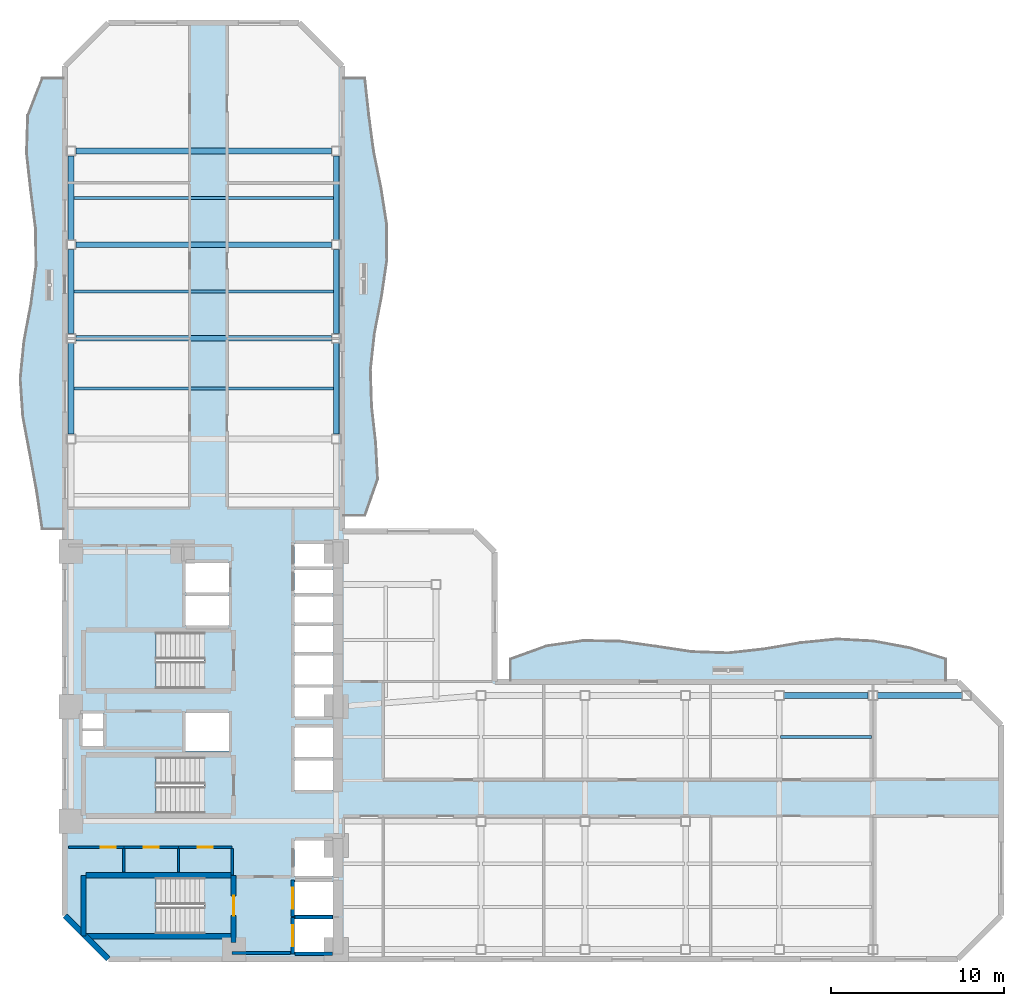
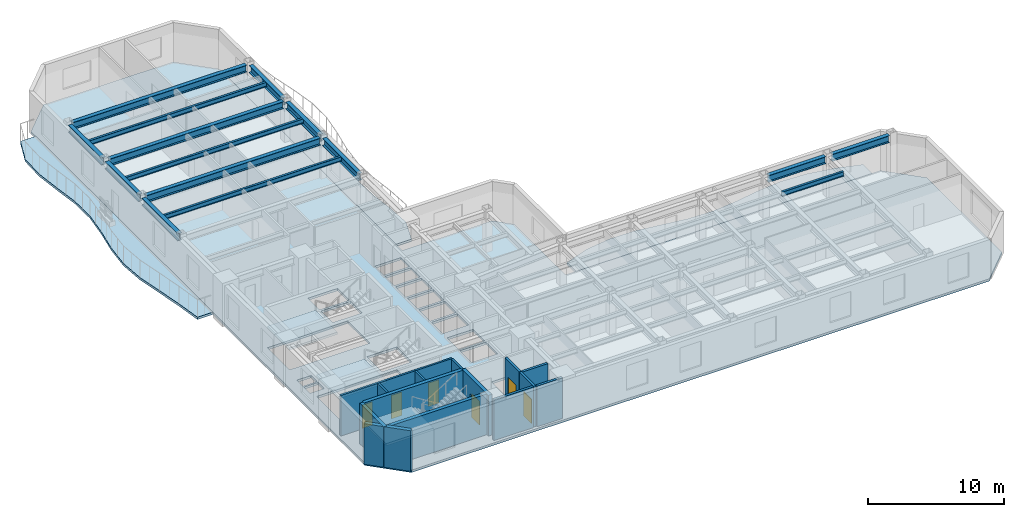
# One storey, part 2 of 10: 16 walls, 15 beams, 7 slabs, 6 doors, 6 openings, 3 elements without a shape of their own.
"""IFC4 building model written with IfcOpenShell, lengths in metres."""

from ifc_helpers import new_model, si_unit, direction, frame, frame_2d, origin, origin_2d, place, context, subcontext, project, spatial, polyline, rectangle, i_section, outline, extrude, material, layer, layer_set, material_profile, profile_set, type_object, element, fill, aggregate, save


model = new_model("IFC4")

# Units and contexts
model_context = context("Model", 3, precision=1e-05, world=origin(), true_north=direction((0.0, 1.0)))
body_context = subcontext(model_context, "Body", "Model", "MODEL_VIEW")
ifc_project = project(units=[si_unit("LENGTHUNIT", "METRE"), si_unit("AREAUNIT", "SQUARE_METRE"), si_unit("VOLUMEUNIT", "CUBIC_METRE"), si_unit("PLANEANGLEUNIT", "RADIAN"), si_unit("MASSUNIT", "GRAM", prefix="KILO")], contexts=[model_context])

# Site, building, storey
site_placement = place(None, origin())
site = spatial("IfcSite", under=ifc_project, at=site_placement, CompositionType="ELEMENT")
building_placement = place(site_placement, origin())
building = spatial("IfcBuilding", under=site, at=building_placement, Name="Mawjaban Terraces University", CompositionType="ELEMENT")
storey_placement = place(building_placement, frame((0.0, 0.0, 89.5)))
storey = spatial("IfcBuildingStorey", under=building, at=storey_placement, Name="L21", CompositionType="ELEMENT", Elevation=89.5)

# Beams
ifc_material_1 = material(Name="Steel ASTM A572 Grade 50", Category="steel")
ifc_material_profile_1 = material_profile(ifc_material_1, i_section(OverallWidth=0.3291015625, OverallDepth=0.635009765625, WebThickness=0.017822265625, FlangeThickness=0.031005859375, at=origin_2d()), Name="W610X241")
ifc_profile_set_1 = profile_set([ifc_material_profile_1], Name="Steel ASTM A572 Grade 50")
beam_type_1 = type_object("IfcBeamType", Name="Beam_B_W610X241", PredefinedType="BEAM", material=ifc_profile_set_1)
beam_1_placement = place(storey_placement, frame((63.47509765625, 15.199951171875, 3.322998046875), z_axis=(1.0, 0.0, 0.0), x_axis=(0.0, 1.0, 0.0)))
element("IfcBeam", 1, at=beam_1_placement, inside=storey, type_object=beam_type_1, Name="L21 Beam BM-L21-EW-12", PredefinedType="BEAM", context=body_context, shape_type="SweptSolid", body=[
    extrude(i_section(OverallWidth=0.3291015625, OverallDepth=0.635009765625, WebThickness=0.017822265625, FlangeThickness=0.031005859375, at=origin_2d()), origin(), (0.0, 0.0, 1.0), 4.849853515625),
])
beam_2_placement = place(storey_placement, frame((68.875, 15.199951171875, 3.322998046875), z_axis=(1.0, 0.0, 0.0), x_axis=(0.0, 1.0, 0.0)))
element("IfcBeam", 2, at=beam_2_placement, inside=storey, type_object=beam_type_1, Name="L21 Beam BM-L21-EW-13", PredefinedType="BEAM", context=body_context, shape_type="SweptSolid", body=[
    extrude(i_section(OverallWidth=0.3291015625, OverallDepth=0.635009765625, WebThickness=0.017822265625, FlangeThickness=0.031005859375, at=origin_2d()), origin(), (0.0, 0.0, 1.0), 4.85009765625),
])
for number, where, z_axis, x_axis, name in (
    (3, (22.625, 35.800048828125, 3.322998046875), (1.0, 0.0, 0.0), (0.0, 1.0, 0.0), "L21 Beam BM-L21-EW-16"),
    (4, (22.625, 41.199951171875, 3.322998046875), (1.0, 0.0, 0.0), (0.0, 1.0, 0.0), "L21 Beam BM-L21-EW-17"),
    (5, (22.625, 46.60009765625, 3.322998046875), (1.0, 0.0, 0.0), (0.0, 1.0, 0.0), "L21 Beam BM-L21-EW-18"),
):
    element("IfcBeam", number, at=place(storey_placement, frame(where, z_axis=z_axis, x_axis=x_axis)), inside=storey, type_object=beam_type_1, Name=name, PredefinedType="BEAM", context=body_context, shape_type="SweptSolid", body=[
        extrude(i_section(OverallWidth=0.3291015625, OverallDepth=0.635009765625, WebThickness=0.017822265625, FlangeThickness=0.031005859375, at=origin_2d()), origin(), (0.0, 0.0, 1.0), 14.75),
    ])
beam_3_placement = place(storey_placement, frame((22.35009765625, 30.27490234375, 3.322998046875), z_axis=(0.0, 1.0, 0.0), x_axis=(-1.0, 0.0, 0.0)))
element("IfcBeam", 6, at=beam_3_placement, inside=storey, type_object=beam_type_1, Name="L21 Beam BM-L21-NS-04", PredefinedType="BEAM", context=body_context, shape_type="SweptSolid", body=[
    extrude(i_section(OverallWidth=0.3291015625, OverallDepth=0.635009765625, WebThickness=0.017822265625, FlangeThickness=0.031005859375, at=origin_2d()), origin(), (0.0, 0.0, 1.0), 5.25),
])
beam_4_placement = place(storey_placement, frame((22.35009765625, 36.074951171875, 3.322998046875), z_axis=(0.0, 1.0, 0.0), x_axis=(-1.0, 0.0, 0.0)))
element("IfcBeam", 7, at=beam_4_placement, inside=storey, type_object=beam_type_1, Name="L21 Beam BM-L21-NS-05", PredefinedType="BEAM", context=body_context, shape_type="SweptSolid", body=[
    extrude(i_section(OverallWidth=0.3291015625, OverallDepth=0.635009765625, WebThickness=0.017822265625, FlangeThickness=0.031005859375, at=origin_2d()), origin(), (0.0, 0.0, 1.0), 4.85009765625),
])
beam_5_placement = place(storey_placement, frame((22.35009765625, 41.47509765625, 3.322998046875), z_axis=(0.0, 1.0, 0.0), x_axis=(-1.0, 0.0, 0.0)))
element("IfcBeam", 8, at=beam_5_placement, inside=storey, type_object=beam_type_1, Name="L21 Beam BM-L21-NS-06", PredefinedType="BEAM", context=body_context, shape_type="SweptSolid", body=[
    extrude(i_section(OverallWidth=0.3291015625, OverallDepth=0.635009765625, WebThickness=0.017822265625, FlangeThickness=0.031005859375, at=origin_2d()), origin(), (0.0, 0.0, 1.0), 4.849853515625),
])
beam_6_placement = place(storey_placement, frame((37.64990234375, 30.27490234375, 3.322998046875), z_axis=(0.0, 1.0, 0.0), x_axis=(-1.0, 0.0, 0.0)))
element("IfcBeam", 9, at=beam_6_placement, inside=storey, type_object=beam_type_1, Name="L21 Beam BM-L21-NS-11", PredefinedType="BEAM", context=body_context, shape_type="SweptSolid", body=[
    extrude(i_section(OverallWidth=0.3291015625, OverallDepth=0.635009765625, WebThickness=0.017822265625, FlangeThickness=0.031005859375, at=origin_2d()), origin(), (0.0, 0.0, 1.0), 5.25),
])
beam_7_placement = place(storey_placement, frame((37.64990234375, 36.074951171875, 3.322998046875), z_axis=(0.0, 1.0, 0.0), x_axis=(-1.0, 0.0, 0.0)))
element("IfcBeam", 10, at=beam_7_placement, inside=storey, type_object=beam_type_1, Name="L21 Beam BM-L21-NS-12", PredefinedType="BEAM", context=body_context, shape_type="SweptSolid", body=[
    extrude(i_section(OverallWidth=0.3291015625, OverallDepth=0.635009765625, WebThickness=0.017822265625, FlangeThickness=0.031005859375, at=origin_2d()), origin(), (0.0, 0.0, 1.0), 4.85009765625),
])
beam_8_placement = place(storey_placement, frame((37.64990234375, 41.47509765625, 3.322998046875), z_axis=(0.0, 1.0, 0.0), x_axis=(-1.0, 0.0, 0.0)))
element("IfcBeam", 11, at=beam_8_placement, inside=storey, type_object=beam_type_1, Name="L21 Beam BM-L21-NS-13", PredefinedType="BEAM", context=body_context, shape_type="SweptSolid", body=[
    extrude(i_section(OverallWidth=0.3291015625, OverallDepth=0.635009765625, WebThickness=0.017822265625, FlangeThickness=0.031005859375, at=origin_2d()), origin(), (0.0, 0.0, 1.0), 4.849853515625),
])
ifc_material_profile_2 = material_profile(ifc_material_1, i_section(OverallWidth=0.179931640625, OverallDepth=0.4130859375, WebThickness=0.009765625, FlangeThickness=0.01611328125, at=origin_2d()), Name="W410X74")
ifc_profile_set_2 = profile_set([ifc_material_profile_2], Name="Steel ASTM A572 Grade 50")
beam_type_2 = type_object("IfcBeamType", Name="Beam_J_W410X74", PredefinedType="JOIST", material=ifc_profile_set_2)
beam_9_placement = place(storey_placement, frame((63.280029296875, 12.800048828125, 3.43310546875), z_axis=(1.0, 0.0, 0.0), x_axis=(0.0, 1.0, 0.0)))
element("IfcBeam", 12, at=beam_9_placement, inside=storey, type_object=beam_type_2, Name="L21 Composite Joist JST-L21-20", PredefinedType="JOIST", context=body_context, shape_type="SweptSolid", body=[
    extrude(i_section(OverallWidth=0.179931640625, OverallDepth=0.4130859375, WebThickness=0.009765625, FlangeThickness=0.01611328125, at=origin_2d()), origin(), (0.0, 0.0, 1.0), 5.239990234375),
])
for number, where, z_axis, x_axis, name in (
    (13, (22.429931640625, 32.89990234375, 3.43310546875), (1.0, 0.0, 0.0), (0.0, 1.0, 0.0), "L21 Composite Joist JST-L21-23"),
    (14, (22.429931640625, 38.5, 3.43310546875), (1.0, 0.0, 0.0), (0.0, 1.0, 0.0), "L21 Composite Joist JST-L21-24"),
    (15, (22.429931640625, 43.89990234375, 3.43310546875), (1.0, 0.0, 0.0), (0.0, 1.0, 0.0), "L21 Composite Joist JST-L21-25"),
):
    element("IfcBeam", number, at=place(storey_placement, frame(where, z_axis=z_axis, x_axis=x_axis)), inside=storey, type_object=beam_type_2, Name=name, PredefinedType="JOIST", context=body_context, shape_type="SweptSolid", body=[
        extrude(i_section(OverallWidth=0.179931640625, OverallDepth=0.4130859375, WebThickness=0.009765625, FlangeThickness=0.01611328125, at=origin_2d()), origin(), (0.0, 0.0, 1.0), 15.14013671875),
    ])

# Slabs
ifc_material_2 = material(Name="Concrete C40/50", Category="concrete")
ifc_layer_1 = layer(ifc_material_2, 0.2099609375)
ifc_layer_set_1 = layer_set([ifc_layer_1], Name="Concrete C40/50")
slab_type_1 = type_object("IfcSlabType", Name="BalconySlab_210_Ext", PredefinedType="FLOOR", material=ifc_layer_set_1)
slab_1_placement = place(storey_placement, frame((0.0, 0.0, -0.2099609375)))
element("IfcSlab", 16, at=slab_1_placement, inside=storey, type_object=slab_type_1, Name="L21 Planted Balcony Slab west", PredefinedType="FLOOR", context=body_context, shape_type="SweptSolid", body=[
    extrude(outline(polyline([(22.010009765625, 24.800048828125), (22.010009765625, 50.800048828125), (20.699951171875, 50.800048828125), (19.860107421875, 48.633056640625), (19.7958984375, 46.467041015625), (20.0400390625, 44.300048828125), (20.31494140625, 42.133056640625), (20.340087890625, 39.967041015625), (20.050048828125, 37.800048828125), (19.64501953125, 35.633056640625), (19.43310546875, 33.467041015625), (19.580078125, 31.300048828125), (19.986083984375, 29.133056640625), (20.382080078125, 26.967041015625), (20.699951171875, 24.800048828125), (22.010009765625, 24.800048828125)])), origin(), (0.0, 0.0, 1.0), 0.2099609375),
])
slab_2_placement = place(storey_placement, frame((0.0, 0.0, -0.2099609375)))
element("IfcSlab", 17, at=slab_2_placement, inside=storey, type_object=slab_type_1, Name="L21 Planted Balcony Slab inner_north", PredefinedType="FLOOR", context=body_context, shape_type="SweptSolid", body=[
    extrude(outline(polyline([(47.699951171875, 15.989990234375), (72.800048828125, 15.989990234375), (72.800048828125, 17.300048828125), (70.7080078125, 17.945068359375), (68.616943359375, 18.333984375), (66.52490234375, 18.448974609375), (64.43310546875, 18.239013671875), (62.342041015625, 17.87890625), (60.25, 17.64892578125), (58.157958984375, 17.721923828125), (56.06689453125, 18.032958984375), (53.97509765625, 18.327880859375), (51.883056640625, 18.35791015625), (49.7919921875, 18.056884765625), (47.699951171875, 17.300048828125), (47.699951171875, 15.989990234375)])), origin(), (0.0, 0.0, 1.0), 0.2099609375),
])
slab_3_placement = place(storey_placement, frame((0.0, 0.0, -0.2099609375)))
element("IfcSlab", 18, at=slab_3_placement, inside=storey, type_object=slab_type_1, Name="L21 Planted Balcony Slab inner_east", PredefinedType="FLOOR", context=body_context, shape_type="SweptSolid", body=[
    extrude(outline(polyline([(39.300048828125, 25.5849609375), (40.0400390625, 27.68603515625), (39.929931640625, 29.7880859375), (39.695068359375, 31.888916015625), (39.626953125, 33.989990234375), (39.85693359375, 36.091064453125), (40.262939453125, 38.19189453125), (40.571044921875, 40.2939453125), (40.56005859375, 42.39501953125), (40.23291015625, 44.49609375), (39.80810546875, 46.596923828125), (39.529052734375, 48.698974609375), (39.300048828125, 50.800048828125), (37.989990234375, 50.800048828125), (37.989990234375, 25.5849609375), (39.300048828125, 25.5849609375)])), origin(), (0.0, 0.0, 1.0), 0.2099609375),
])
ifc_layer_2 = layer(ifc_material_2, 0.2099609375)
ifc_layer_set_2 = layer_set([ifc_layer_2], Name="Concrete C40/50")
slab_type_2 = type_object("IfcSlabType", Name="CompositeSlab_210", PredefinedType="FLOOR", material=ifc_layer_set_2)
slab_4_placement = place(storey_placement, frame((0.0, 0.0, -0.2099609375)))
element("IfcSlab", 19, at=slab_4_placement, inside=storey, type_object=slab_type_2, Name="L21 Primary Structural Slab", PredefinedType="FLOOR", context=body_context, shape_type="SweptSolid", body=[
    extrude(outline(polyline([(24.5, 0.0), (73.5, 0.0), (76.0, 2.5), (76.0, 13.5), (73.5, 16.0), (46.800048828125, 16.0), (46.800048828125, 23.485107421875), (45.60009765625, 24.68505859375), (38.0, 24.68505859375), (38.0, 51.5), (35.5, 54.0), (24.5, 54.0), (22.0, 51.5), (22.0, 2.5), (24.5, 0.0)]), holes=[polyline([(30.014892578125, 4.699951171875), (23.199951171875, 4.699951171875), (23.199951171875, 1.449951171875), (30.014892578125, 1.449951171875), (30.014892578125, 4.699951171875)]), polyline([(30.014892578125, 18.85009765625), (23.199951171875, 18.85009765625), (23.199951171875, 15.60009765625), (30.014892578125, 15.60009765625), (30.014892578125, 18.85009765625)]), polyline([(30.014892578125, 11.64990234375), (23.199951171875, 11.64990234375), (23.199951171875, 8.39990234375), (30.014892578125, 8.39990234375), (30.014892578125, 11.64990234375)]), polyline([(35.25, 0.39990234375), (37.449951171875, 0.39990234375), (37.449951171875, 2.300048828125), (35.25, 2.300048828125), (35.25, 0.39990234375)]), polyline([(35.25, 2.550048828125), (37.449951171875, 2.550048828125), (37.449951171875, 4.449951171875), (35.25, 4.449951171875), (35.25, 2.550048828125)]), polyline([(35.25, 4.800048828125), (37.449951171875, 4.800048828125), (37.449951171875, 6.85009765625), (35.25, 6.85009765625), (35.25, 4.800048828125)]), polyline([(35.25, 9.75), (37.449951171875, 9.75), (37.449951171875, 11.449951171875), (35.25, 11.449951171875), (35.25, 9.75)]), polyline([(35.25, 11.64990234375), (37.449951171875, 11.64990234375), (37.449951171875, 13.35009765625), (35.25, 13.35009765625), (35.25, 11.64990234375)]), polyline([(28.949951171875, 12.0), (31.449951171875, 12.0), (31.449951171875, 14.199951171875), (28.949951171875, 14.199951171875), (28.949951171875, 12.0)]), polyline([(35.25, 14.0), (37.449951171875, 14.0), (37.449951171875, 15.64990234375), (35.25, 15.64990234375), (35.25, 14.0)]), polyline([(35.25, 15.85009765625), (37.449951171875, 15.85009765625), (37.449951171875, 17.5), (35.25, 17.5), (35.25, 15.85009765625)]), polyline([(35.25, 17.699951171875), (37.449951171875, 17.699951171875), (37.449951171875, 19.199951171875), (35.25, 19.199951171875), (35.25, 17.699951171875)]), polyline([(35.25, 19.39990234375), (37.449951171875, 19.39990234375), (37.449951171875, 20.89990234375), (35.25, 20.89990234375), (35.25, 19.39990234375)]), polyline([(28.949951171875, 19.25), (31.449951171875, 19.25), (31.449951171875, 20.949951171875), (28.949951171875, 20.949951171875), (28.949951171875, 19.25)]), polyline([(35.25, 21.10009765625), (37.449951171875, 21.10009765625), (37.449951171875, 22.449951171875), (35.25, 22.449951171875), (35.25, 21.10009765625)]), polyline([(35.25, 22.64990234375), (37.449951171875, 22.64990234375), (37.449951171875, 23.949951171875), (35.25, 23.949951171875), (35.25, 22.64990234375)]), polyline([(28.949951171875, 21.14990234375), (31.449951171875, 21.14990234375), (31.449951171875, 22.85009765625), (28.949951171875, 22.85009765625), (28.949951171875, 21.14990234375)]), polyline([(23.0, 12.25), (24.199951171875, 12.25), (24.199951171875, 13.14990234375), (23.0, 13.14990234375), (23.0, 12.25)]), polyline([(23.0, 13.300048828125), (24.199951171875, 13.300048828125), (24.199951171875, 14.179931640625), (23.0, 14.179931640625), (23.0, 13.300048828125)])]), origin(), (0.0, 0.0, 1.0), 0.2099609375),
])

# Stair, slab
stair_type = type_object("IfcStairType", Name="Stair_Core1550_H39", PredefinedType="HALF_TURN_STAIR", material=ifc_material_2)
stair_1_placement = place(storey_placement, origin())
stair_1 = element("IfcStair", 20, at=stair_1_placement, inside=storey, type_object=stair_type, Name="L21 Core Exit Stair 1", PredefinedType="HALF_TURN_STAIR")
ifc_layer_3 = layer(ifc_material_2, 0.199951171875)
ifc_layer_set_3 = layer_set([ifc_layer_3], Name="Concrete C40/50")
slab_type_3 = type_object("IfcSlabType", Name="StairLandingSlab_200", PredefinedType="LANDING", material=ifc_layer_set_3)
slab_5_placement = place(storey_placement, frame((0.0, 0.0, 1.75)))
slab_5 = element("IfcSlab", 21, at=slab_5_placement, type_object=slab_type_3, Name="ST-1 landing 1", PredefinedType="LANDING", context=body_context, shape_type="SweptSolid", body=[
    extrude(outline(polyline([(27.25, 4.699951171875), (23.199951171875, 4.699951171875), (23.199951171875, 1.449951171875), (27.25, 1.449951171875), (27.25, 4.699951171875)])), origin(), (0.0, 0.0, 1.0), 0.199951171875),
])
aggregate(stair_1, [slab_5])

stair_2_placement = place(storey_placement, origin())
stair_2 = element("IfcStair", 22, at=stair_2_placement, inside=storey, type_object=stair_type, Name="L21 Core Exit Stair 2", PredefinedType="HALF_TURN_STAIR")
slab_6_placement = place(storey_placement, frame((0.0, 0.0, 1.75)))
slab_6 = element("IfcSlab", 23, at=slab_6_placement, type_object=slab_type_3, Name="ST-2 landing 1", PredefinedType="LANDING", context=body_context, shape_type="SweptSolid", body=[
    extrude(outline(polyline([(27.25, 18.85009765625), (23.199951171875, 18.85009765625), (23.199951171875, 15.60009765625), (27.25, 15.60009765625), (27.25, 18.85009765625)])), origin(), (0.0, 0.0, 1.0), 0.199951171875),
])
aggregate(stair_2, [slab_6])

stair_3_placement = place(storey_placement, origin())
stair_3 = element("IfcStair", 24, at=stair_3_placement, inside=storey, type_object=stair_type, Name="L21 Core Exit Stair 3", PredefinedType="HALF_TURN_STAIR")
slab_7_placement = place(storey_placement, frame((0.0, 0.0, 1.75)))
slab_7 = element("IfcSlab", 25, at=slab_7_placement, type_object=slab_type_3, Name="ST-3 landing 1", PredefinedType="LANDING", context=body_context, shape_type="SweptSolid", body=[
    extrude(outline(polyline([(27.25, 11.64990234375), (23.199951171875, 11.64990234375), (23.199951171875, 8.39990234375), (27.25, 8.39990234375), (27.25, 11.64990234375)])), origin(), (0.0, 0.0, 1.0), 0.199951171875),
])
aggregate(stair_3, [slab_7])

# Wall, opening, door
ifc_material_3 = material(Name="Fire-rated gypsum board on steel stud", Category="steel")
ifc_layer_4 = layer(ifc_material_3, 0.159912109375)
ifc_layer_set_4 = layer_set([ifc_layer_4], Name="Fire-rated gypsum board on steel stud")
wall_type_1 = type_object("IfcWallType", Name="CorridorPartition_160", PredefinedType="PARTITIONING", material=ifc_layer_set_4)
wall_1_placement = place(storey_placement, frame((22.199951171875, 6.449951171875, 0.0), z_axis=(0.0, 0.0, 1.0), x_axis=(1.0, 0.0, 0.0)))
wall_1 = element("IfcWall", 26, at=wall_1_placement, inside=storey, type_object=wall_type_1, Name="L21 Core Washroom Lobby Partition 1", PredefinedType="PARTITIONING", context=body_context, shape_type="SweptSolid", body=[
    extrude(rectangle(XDim=3.199951171875, YDim=0.159912109375, at=frame_2d((1.60009765625, 0.0))), origin(), (0.0, 0.0, 1.0), 3.639892578125),
])
opening_1_placement = place(wall_1_placement, frame((1.860107421875, 0.0, 0.0)))
opening_1 = element("IfcOpeningElement", 27, at=opening_1_placement, cuts=wall_1, Name="Opening ID-088", PredefinedType="OPENING", context=body_context, shape_type="SweptSolid", body=[
    extrude(rectangle(XDim=0.8798828125, YDim=2.10009765625, at=frame_2d((0.43994140625, 1.050048828125))), frame((0.0, 0.08984375, 0.0), z_axis=(0.0, -1.0, 0.0), x_axis=(1.0, 0.0, 0.0)), (0.0, 0.0, 1.0), 0.179931640625),
])
ifc_material_4 = material(Name="Powder-coated steel frame and solid acoustic timber leaf", Category="steel")
door_type_1 = type_object("IfcDoorType", Name="ToiletDoor_880x2100", OperationType="NOTDEFINED", PredefinedType="DOOR", material=ifc_material_4)
door_1_placement = place(opening_1_placement, origin())
door_1 = element("IfcDoor", 28, at=door_1_placement, inside=storey, type_object=door_type_1, Name="L21 Male Toilet Door", OperationType="SINGLE_SWING_LEFT", OverallHeight=2.10009765625, OverallWidth=0.8798828125, PredefinedType="DOOR", context=body_context, shape_type="SweptSolid", body=[
    extrude(rectangle(XDim=0.8798828125, YDim=2.10009765625, at=frame_2d((0.43994140625, 1.050048828125))), frame((0.0, 0.02490234375, 0.0), z_axis=(0.0, -1.0, 0.0), x_axis=(1.0, 0.0, 0.0)), (0.0, 0.0, 1.0), 0.050048828125),
])
fill(opening_1, door_1)

wall_2_placement = place(storey_placement, frame((25.39990234375, 6.449951171875, 0.0), z_axis=(0.0, 0.0, 1.0), x_axis=(1.0, 0.0, 0.0)))
wall_2 = element("IfcWall", 29, at=wall_2_placement, inside=storey, type_object=wall_type_1, Name="L21 Core Washroom Lobby Partition 4", PredefinedType="PARTITIONING", context=body_context, shape_type="SweptSolid", body=[
    extrude(rectangle(XDim=3.150146484375, YDim=0.159912109375, at=frame_2d((1.5751953125, 0.0))), origin(), (0.0, 0.0, 1.0), 3.639892578125),
])
opening_2_placement = place(wall_2_placement, frame((1.135009765625, 0.0, 0.0)))
opening_2 = element("IfcOpeningElement", 30, at=opening_2_placement, cuts=wall_2, Name="Opening ID-088", PredefinedType="OPENING", context=body_context, shape_type="SweptSolid", body=[
    extrude(rectangle(XDim=0.8798828125, YDim=2.10009765625, at=frame_2d((0.43994140625, 1.050048828125))), frame((0.0, 0.08984375, 0.0), z_axis=(0.0, -1.0, 0.0), x_axis=(1.0, 0.0, 0.0)), (0.0, 0.0, 1.0), 0.179931640625),
])
door_2_placement = place(opening_2_placement, origin())
door_2 = element("IfcDoor", 31, at=door_2_placement, inside=storey, type_object=door_type_1, Name="L21 Female Toilet Door", OperationType="SINGLE_SWING_RIGHT", OverallHeight=2.10009765625, OverallWidth=0.8798828125, PredefinedType="DOOR", context=body_context, shape_type="SweptSolid", body=[
    extrude(rectangle(XDim=0.8798828125, YDim=2.10009765625, at=frame_2d((0.43994140625, 1.050048828125))), frame((0.0, 0.02490234375, 0.0), z_axis=(0.0, -1.0, 0.0), x_axis=(1.0, 0.0, 0.0)), (0.0, 0.0, 1.0), 0.050048828125),
])
fill(opening_2, door_2)

wall_3_placement = place(storey_placement, frame((28.550048828125, 6.449951171875, 0.0), z_axis=(0.0, 0.0, 1.0), x_axis=(1.0, 0.0, 0.0)))
wall_3 = element("IfcWall", 32, at=wall_3_placement, inside=storey, type_object=wall_type_1, Name="L21 Core Washroom Lobby Partition 6", PredefinedType="PARTITIONING", context=body_context, shape_type="SweptSolid", body=[
    extrude(rectangle(XDim=3.099853515625, YDim=0.159912109375, at=frame_2d((1.5498046875, 0.0))), origin(), (0.0, 0.0, 1.0), 3.639892578125),
])
opening_3_placement = place(wall_3_placement, frame((1.110107421875, 0.0, 0.0)))
opening_3 = element("IfcOpeningElement", 33, at=opening_3_placement, cuts=wall_3, Name="Opening ID-088", PredefinedType="OPENING", context=body_context, shape_type="SweptSolid", body=[
    extrude(rectangle(XDim=0.8798828125, YDim=2.10009765625, at=frame_2d((0.43994140625, 1.050048828125))), frame((0.0, 0.08984375, 0.0), z_axis=(0.0, -1.0, 0.0), x_axis=(1.0, 0.0, 0.0)), (0.0, 0.0, 1.0), 0.179931640625),
])
door_3_placement = place(opening_3_placement, origin())
door_3 = element("IfcDoor", 34, at=door_3_placement, inside=storey, type_object=door_type_1, Name="L21 Accessible Toilet Door", OperationType="SINGLE_SWING_LEFT", OverallHeight=2.10009765625, OverallWidth=0.8798828125, PredefinedType="DOOR", context=body_context, shape_type="SweptSolid", body=[
    extrude(rectangle(XDim=0.8798828125, YDim=2.10009765625, at=frame_2d((0.43994140625, 1.050048828125))), frame((0.0, 0.02490234375, 0.0), z_axis=(0.0, -1.0, 0.0), x_axis=(1.0, 0.0, 0.0)), (0.0, 0.0, 1.0), 0.050048828125),
])
fill(opening_3, door_3)

# Walls
wall_4_placement = place(storey_placement, frame((31.64990234375, 4.860107421875, 0.0), z_axis=(0.0, 0.0, 1.0), x_axis=(0.0, 1.0, 0.0)))
element("IfcWall", 35, at=wall_4_placement, inside=storey, type_object=wall_type_1, Name="L21 Accessible Toilet Partition 40", PredefinedType="PARTITIONING", context=body_context, shape_type="SweptSolid", body=[
    extrude(rectangle(XDim=1.514892578125, YDim=0.159912109375, at=frame_2d((0.75732421875, 0.0))), origin(), (0.0, 0.0, 1.0), 3.639892578125),
])
ifc_material_5 = material(Name="Insulated terracotta rainscreen on concrete backup C40/50", Category="masonry")
ifc_layer_5 = layer(ifc_material_5, 0.320068359375)
ifc_layer_set_5 = layer_set([ifc_layer_5], Name="Insulated terracotta rainscreen on concrete backup C40/50")
wall_type_2 = type_object("IfcWallType", Name="ExtTerracottaWall_320", PredefinedType="SOLIDWALL", material=ifc_layer_set_5)
wall_5_placement = place(storey_placement, frame((22.0, 2.5, 0.0), z_axis=(0.0, 0.0, 1.0), x_axis=(0.707106781187, -0.707106781187, 0.0)))
element("IfcWall", 36, at=wall_5_placement, inside=storey, type_object=wall_type_2, Name="L21 Exterior Terracotta Wall 14", PredefinedType="SOLIDWALL", context=body_context, shape_type="SweptSolid", body=[
    extrude(rectangle(XDim=3.53564453125, YDim=0.320068359375, at=frame_2d((1.767822265625, 0.0))), origin(), (0.0, 0.0, 1.0), 3.639892578125),
])

# Wall, opening, door
ifc_layer_6 = layer(ifc_material_2, 0.199951171875)
ifc_layer_set_6 = layer_set([ifc_layer_6], Name="Concrete C40/50")
wall_type_3 = type_object("IfcWallType", Name="FireLobbyWall_200", PredefinedType="SOLIDWALL", material=ifc_layer_set_6)
wall_6_placement = place(storey_placement, frame((35.14990234375, 2.39990234375, 0.0), z_axis=(0.0, 0.0, 1.0), x_axis=(0.0, -1.0, 0.0)))
wall_6 = element("IfcWall", 37, at=wall_6_placement, inside=storey, type_object=wall_type_3, Name="L21 Lift FL-1 Hoistway Wall West", PredefinedType="SOLIDWALL", context=body_context, shape_type="SweptSolid", body=[
    extrude(rectangle(XDim=2.099853515625, YDim=0.199951171875, at=frame_2d((1.0498046875, 0.0))), origin(), (0.0, 0.0, 1.0), 3.639892578125),
])
opening_4_placement = place(wall_6_placement, frame((0.449951171875, 0.0, 0.0)))
opening_4 = element("IfcOpeningElement", 38, at=opening_4_placement, cuts=wall_6, Name="Opening LD-FL-1", PredefinedType="OPENING", context=body_context, shape_type="SweptSolid", body=[
    extrude(rectangle(XDim=1.199951171875, YDim=2.14990234375, at=frame_2d((0.60009765625, 1.074951171875))), frame((0.0, 0.10986328125, 0.0), z_axis=(0.0, -1.0, 0.0), x_axis=(1.0, 0.0, 0.0)), (0.0, 0.0, 1.0), 0.219970703125),
])
ifc_material_6 = material(Name="Powder-coated steel frame and fire-rated steel-faced leaf", Category="steel")
door_type_2 = type_object("IfcDoorType", Name="LiftLandingFSAE_1200x2150", OperationType="NOTDEFINED", PredefinedType="DOOR", material=ifc_material_6)
door_4_placement = place(opening_4_placement, origin())
door_4 = element("IfcDoor", 39, at=door_4_placement, inside=storey, type_object=door_type_2, Name="L21 Lift FL-1 Sliding Landing Door", OperationType="DOUBLE_DOOR_SLIDING", OverallHeight=2.14990234375, OverallWidth=1.199951171875, PredefinedType="DOOR", context=body_context, shape_type="SweptSolid", body=[
    extrude(rectangle(XDim=1.199951171875, YDim=2.14990234375, at=frame_2d((0.60009765625, 1.074951171875))), frame((0.0, 0.02490234375, 0.0), z_axis=(0.0, -1.0, 0.0), x_axis=(1.0, 0.0, 0.0)), (0.0, 0.0, 1.0), 0.050048828125),
])
fill(opening_4, door_4)

# Walls
for number, where, z_axis, x_axis, name in (
    (40, (35.280029296875, 0.300048828125, 0.0), (0.0, 0.0, 1.0), (1.0, 0.0, 0.0), "L21 Lift FL-1 Hoistway Wall South"),
    (41, (37.419921875, 2.39990234375, 0.0), (0.0, 0.0, 1.0), (-1.0, 0.0, 0.0), "L21 Lift FL-1 Hoistway Wall North"),
):
    element("IfcWall", number, at=place(storey_placement, frame(where, z_axis=z_axis, x_axis=x_axis)), inside=storey, type_object=wall_type_3, Name=name, PredefinedType="SOLIDWALL", context=body_context, shape_type="SweptSolid", body=[
        extrude(rectangle(XDim=2.139892578125, YDim=0.199951171875, at=frame_2d((1.06982421875, 0.0))), origin(), (0.0, 0.0, 1.0), 3.639892578125),
    ])

# Wall, opening, door
wall_7_placement = place(storey_placement, frame((35.14990234375, 4.550048828125, 0.0), z_axis=(0.0, 0.0, 1.0), x_axis=(0.0, -1.0, 0.0)))
wall_7 = element("IfcWall", 42, at=wall_7_placement, inside=storey, type_object=wall_type_3, Name="L21 Lift FL-2 Hoistway Wall West", PredefinedType="SOLIDWALL", context=body_context, shape_type="SweptSolid", body=[
    extrude(rectangle(XDim=2.10009765625, YDim=0.199951171875, at=frame_2d((1.050048828125, 0.0))), origin(), (0.0, 0.0, 1.0), 3.639892578125),
])
opening_5_placement = place(wall_7_placement, frame((0.449951171875, 0.0, 0.0)))
opening_5 = element("IfcOpeningElement", 43, at=opening_5_placement, cuts=wall_7, Name="Opening LD-FL-2", PredefinedType="OPENING", context=body_context, shape_type="SweptSolid", body=[
    extrude(rectangle(XDim=1.199951171875, YDim=2.14990234375, at=frame_2d((0.60009765625, 1.074951171875))), frame((0.0, 0.10986328125, 0.0), z_axis=(0.0, -1.0, 0.0), x_axis=(1.0, 0.0, 0.0)), (0.0, 0.0, 1.0), 0.219970703125),
])
door_5_placement = place(opening_5_placement, origin())
door_5 = element("IfcDoor", 44, at=door_5_placement, inside=storey, type_object=door_type_2, Name="L21 Lift FL-2 Sliding Landing Door", OperationType="DOUBLE_DOOR_SLIDING", OverallHeight=2.14990234375, OverallWidth=1.199951171875, PredefinedType="DOOR", context=body_context, shape_type="SweptSolid", body=[
    extrude(rectangle(XDim=1.199951171875, YDim=2.14990234375, at=frame_2d((0.60009765625, 1.074951171875))), frame((0.0, 0.02490234375, 0.0), z_axis=(0.0, -1.0, 0.0), x_axis=(1.0, 0.0, 0.0)), (0.0, 0.0, 1.0), 0.050048828125),
])
fill(opening_5, door_5)

# Walls
wall_8_placement = place(storey_placement, frame((31.64990234375, 0.35009765625, 0.0), z_axis=(0.0, 0.0, 1.0), x_axis=(1.0, 0.0, 0.0)))
element("IfcWall", 45, at=wall_8_placement, inside=storey, type_object=wall_type_3, Name="L21 Firefighting Lift Lobby Partition 12", PredefinedType="SOLIDWALL", context=body_context, shape_type="SweptSolid", body=[
    extrude(rectangle(XDim=3.3701171875, YDim=0.199951171875, at=frame_2d((1.68505859375, 0.0))), origin(), (0.0, 0.0, 1.0), 3.639892578125),
])
ifc_material_7 = material(Name="Concrete C60/75", Category="concrete")
ifc_layer_7 = layer(ifc_material_7, 0.300048828125)
ifc_layer_set_7 = layer_set([ifc_layer_7], Name="Concrete C60/75")
wall_type_4 = type_object("IfcWallType", Name="StairShaftWall_300", PredefinedType="SHEAR", material=ifc_layer_set_7)
wall_9_placement = place(storey_placement, frame((31.580078125, 4.830078125, 0.0), z_axis=(0.0, 0.0, 1.0), x_axis=(-1.0, 0.0, 0.0)))
element("IfcWall", 46, at=wall_9_placement, inside=storey, type_object=wall_type_4, Name="L21 ST-1 Stair Shaft Wall 1", PredefinedType="SHEAR", context=body_context, shape_type="SweptSolid", body=[
    extrude(rectangle(XDim=8.360107421875, YDim=0.300048828125, at=frame_2d((4.18017578125, 0.0))), origin(), (0.0, 0.0, 1.0), 3.639892578125),
])
wall_10_placement = place(storey_placement, frame((23.070068359375, 4.830078125, 0.0), z_axis=(0.0, 0.0, 1.0), x_axis=(0.0, -1.0, 0.0)))
element("IfcWall", 47, at=wall_10_placement, inside=storey, type_object=wall_type_4, Name="L21 ST-1 Stair Shaft Wall 2", PredefinedType="SHEAR", context=body_context, shape_type="SweptSolid", body=[
    extrude(rectangle(XDim=3.510009765625, YDim=0.300048828125, at=frame_2d((1.7548828125, 0.0))), origin(), (0.0, 0.0, 1.0), 3.639892578125),
])
wall_11_placement = place(storey_placement, frame((23.219970703125, 1.320068359375, 0.0), z_axis=(0.0, 0.0, 1.0), x_axis=(1.0, 0.0, 0.0)))
element("IfcWall", 48, at=wall_11_placement, inside=storey, type_object=wall_type_4, Name="L21 ST-1 Stair Shaft Wall 3", PredefinedType="SHEAR", context=body_context, shape_type="SweptSolid", body=[
    extrude(rectangle(XDim=8.360107421875, YDim=0.300048828125, at=frame_2d((4.18017578125, 0.0))), origin(), (0.0, 0.0, 1.0), 3.639892578125),
])

# Wall, opening, door
wall_12_placement = place(storey_placement, frame((31.72998046875, 0.9599609375, 0.0), z_axis=(0.0, 0.0, 1.0), x_axis=(0.0, 1.0, 0.0)))
wall_12 = element("IfcWall", 49, at=wall_12_placement, inside=storey, type_object=wall_type_4, Name="L21 ST-1 Stair Shaft Wall 4", PredefinedType="SHEAR", context=body_context, shape_type="SweptSolid", body=[
    extrude(rectangle(XDim=3.8701171875, YDim=0.300048828125, at=frame_2d((1.93505859375, 0.0))), origin(), (0.0, 0.0, 1.0), 3.639892578125),
])
opening_6_placement = place(wall_12_placement, frame((1.5400390625, 0.0, 0.0)))
opening_6 = element("IfcOpeningElement", 50, at=opening_6_placement, cuts=wall_12, Name="Opening FD-115", PredefinedType="OPENING", context=body_context, shape_type="SweptSolid", body=[
    extrude(rectangle(XDim=1.14990234375, YDim=2.14990234375, at=frame_2d((0.574951171875, 1.074951171875))), frame((0.0, 0.159912109375, 0.0), z_axis=(0.0, -1.0, 0.0), x_axis=(1.0, 0.0, 0.0)), (0.0, 0.0, 1.0), 0.320068359375),
])
door_type_3 = type_object("IfcDoorType", Name="FireStairDoor_1150x2150", OperationType="NOTDEFINED", PredefinedType="DOOR", material=ifc_material_6)
door_6_placement = place(opening_6_placement, origin())
door_6 = element("IfcDoor", 51, at=door_6_placement, inside=storey, type_object=door_type_3, Name="L21 ST-1 Pressurised Stair Fire Door", OperationType="SINGLE_SWING_LEFT", OverallHeight=2.14990234375, OverallWidth=1.14990234375, PredefinedType="DOOR", context=body_context, shape_type="SweptSolid", body=[
    extrude(rectangle(XDim=1.14990234375, YDim=2.14990234375, at=frame_2d((0.574951171875, 1.074951171875))), frame((0.0, 0.02490234375, 0.0), z_axis=(0.0, -1.0, 0.0), x_axis=(1.0, 0.0, 0.0)), (0.0, 0.0, 1.0), 0.050048828125),
])
fill(opening_6, door_6)

# Walls
ifc_material_8 = material(Name="Cement-board wet-room partition", Category="masonry")
ifc_layer_8 = layer(ifc_material_8, 0.135009765625)
ifc_layer_set_8 = layer_set([ifc_layer_8], Name="Cement-board wet-room partition")
wall_type_5 = type_object("IfcWallType", Name="WetRoomPartition_135", PredefinedType="PARTITIONING", material=ifc_layer_set_8)
for number, where, z_axis, x_axis, name in (
    (52, (25.39990234375, 5.010009765625, 0.0), (0.0, 0.0, 1.0), (0.0, 1.0, 0.0), "L21 Male Toilet Partition 30"),
    (53, (28.550048828125, 5.010009765625, 0.0), (0.0, 0.0, 1.0), (0.0, 1.0, 0.0), "L21 Female Toilet Partition 32"),
):
    element("IfcWall", number, at=place(storey_placement, frame(where, z_axis=z_axis, x_axis=x_axis)), inside=storey, type_object=wall_type_5, Name=name, PredefinedType="PARTITIONING", context=body_context, shape_type="SweptSolid", body=[
        extrude(rectangle(XDim=1.364990234375, YDim=0.135009765625, at=frame_2d((0.6826171875, 0.0))), origin(), (0.0, 0.0, 1.0), 3.639892578125),
    ])

save(model, "model.ifc")
